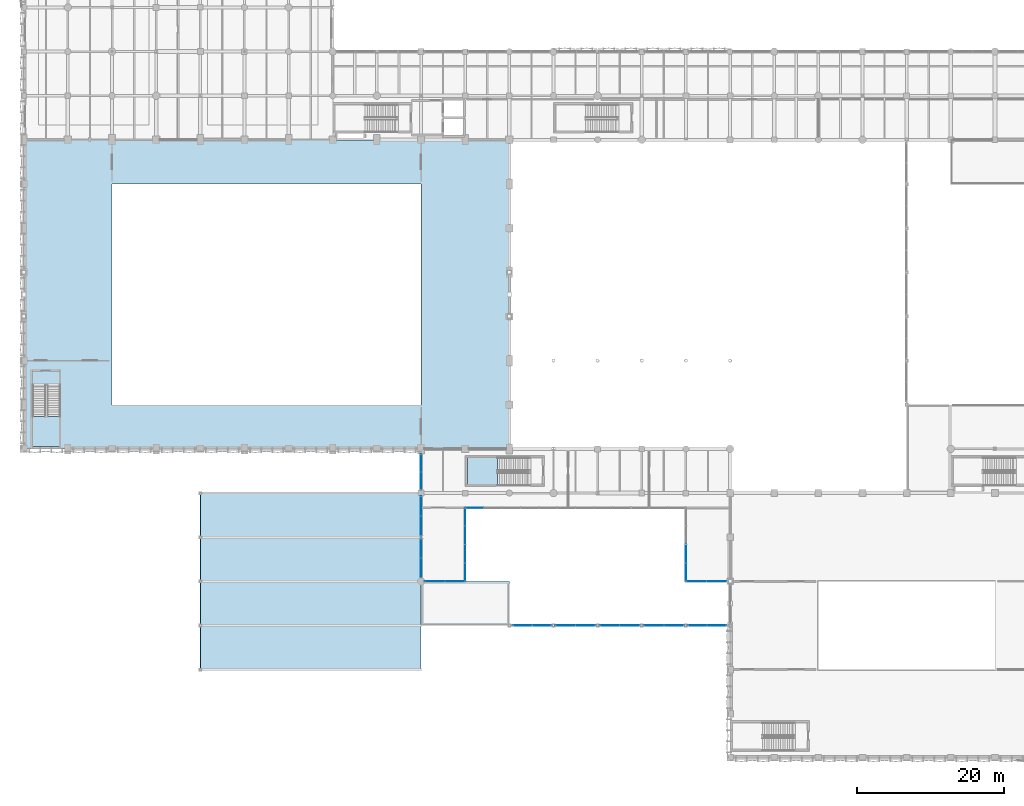
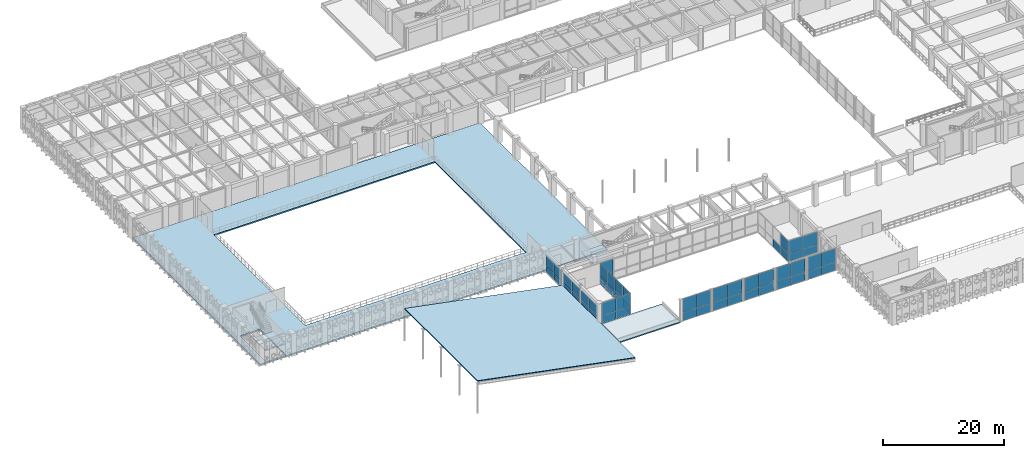
# One storey, part 88 of 133: 53 plates, 5 slabs, 15 elements without a shape of their own.
"""IFC4 building model written with IfcOpenShell, lengths in metres."""

from ifc_helpers import new_model, si_unit, direction, frame, frame_2d, origin, place, context, subcontext, project, spatial, polyline, rectangle, outline, extrude, material, layer, layer_set, type_object, element, aggregate, save


model = new_model("IFC4")

# Units and contexts
model_context = context("Model", 3, precision=1e-05, world=origin(), true_north=direction((0.0, 1.0)))
body_context = subcontext(model_context, "Body", "Model", "MODEL_VIEW")
ifc_project = project(units=[si_unit("LENGTHUNIT", "METRE"), si_unit("AREAUNIT", "SQUARE_METRE"), si_unit("VOLUMEUNIT", "CUBIC_METRE"), si_unit("PLANEANGLEUNIT", "RADIAN"), si_unit("MASSUNIT", "GRAM", prefix="KILO"), si_unit("THERMODYNAMICTEMPERATUREUNIT", "KELVIN"), si_unit("POWERUNIT", "WATT")], contexts=[model_context])

# Site, building, storey
site_placement = place(None, origin())
site = spatial("IfcSite", under=ifc_project, at=site_placement, CompositionType="ELEMENT")
building_placement = place(site_placement, origin())
building = spatial("IfcBuilding", under=site, at=building_placement, Name="Phaisarnlok Congress Hotel", CompositionType="ELEMENT")
storey_placement = place(building_placement, frame((0.0, 0.0, 6.0)))
storey = spatial("IfcBuildingStorey", under=building, at=storey_placement, Name="L01", CompositionType="ELEMENT", Elevation=6.0)

# Curtain wall, plates
ifc_material_1 = material(Name="Thermally Broken Unitised Aluminium & Low-E Glazing", Category="aluminium")
curtain_wall_type_1 = type_object("IfcCurtainWallType", Name="CW-UNIT-08", PredefinedType="NOTDEFINED", material=ifc_material_1)
curtain_wall_1_placement = place(storey_placement, origin())
curtain_wall_1 = element("IfcCurtainWall", 1, at=curtain_wall_1_placement, inside=storey, type_object=curtain_wall_type_1, Name="Unitised curtain wall CW-08 (L01)", PredefinedType="NOTDEFINED")
ifc_material_2 = material(Name="Triple Acoustic Solar-Control Glazing", Category="glass")
ifc_layer_1 = layer(ifc_material_2, 0.035888671875, Name="Triple Acoustic Solar-Control Glazing")
ifc_layer_set_1 = layer_set([ifc_layer_1], Name="Triple Acoustic Solar-Control Glazing")
plate_type = type_object("IfcPlateType", Name="CWP-GLZ-36", PredefinedType="CURTAIN_PANEL", material=ifc_layer_set_1)
plate_1_placement = place(storey_placement, frame((90.0, 28.985107421875, 0.0400390625), z_axis=(0.0, 0.0, 1.0), x_axis=(0.0, -1.0, 0.0)))
plate_1 = element("IfcPlate", 2, at=plate_1_placement, type_object=plate_type, Name="Glazed curtain panel CWP-02", PredefinedType="CURTAIN_PANEL", context=body_context, shape_type="SweptSolid", body=[
    extrude(rectangle(XDim=2.47021484375, YDim=0.028076171875, at=frame_2d((1.235107421875, 0.0))), origin(), (0.0, 0.0, 1.0), 1.5634765625),
])
plate_2_placement = place(storey_placement, frame((90.0, 26.485107421875, 0.0400390625), z_axis=(0.0, 0.0, 1.0), x_axis=(0.0, -1.0, 0.0)))
plate_2 = element("IfcPlate", 3, at=plate_2_placement, type_object=plate_type, Name="Glazed curtain panel CWP-02", PredefinedType="CURTAIN_PANEL", context=body_context, shape_type="SweptSolid", body=[
    extrude(rectangle(XDim=2.465087890625, YDim=0.028076171875, at=frame_2d((1.232421875, 0.0))), origin(), (0.0, 0.0, 1.0), 1.5634765625),
])
plate_3_placement = place(storey_placement, frame((90.0, 26.485107421875, 1.603515625), z_axis=(0.0, 0.0, 1.0), x_axis=(0.0, -1.0, 0.0)))
plate_3 = element("IfcPlate", 4, at=plate_3_placement, type_object=plate_type, Name="Glazed curtain panel CWP-02", PredefinedType="CURTAIN_PANEL", context=body_context, shape_type="SweptSolid", body=[
    extrude(rectangle(XDim=2.465087890625, YDim=0.028076171875, at=frame_2d((1.232421875, 0.0))), origin(), (0.0, 0.0, 1.0), 2.576416015625),
])
aggregate(curtain_wall_1, [plate_1, plate_2, plate_3])

curtain_wall_type_2 = type_object("IfcCurtainWallType", Name="CW-UNIT-09", PredefinedType="NOTDEFINED", material=ifc_material_1)
curtain_wall_2_placement = place(storey_placement, origin())
curtain_wall_2 = element("IfcCurtainWall", 5, at=curtain_wall_2_placement, inside=storey, type_object=curtain_wall_type_2, Name="Unitised curtain wall CW-09 (L01)", PredefinedType="NOTDEFINED")
plate_4_placement = place(storey_placement, frame((90.02001953125, 24.0, 0.0400390625), z_axis=(0.0, 0.0, 1.0), x_axis=(1.0, 0.0, 0.0)))
plate_4 = element("IfcPlate", 6, at=plate_4_placement, type_object=plate_type, Name="Glazed curtain panel CWP-02", PredefinedType="CURTAIN_PANEL", context=body_context, shape_type="SweptSolid", body=[
    extrude(rectangle(XDim=2.737548828125, YDim=0.028076171875, at=frame_2d((1.36865234375, 0.0))), origin(), (0.0, 0.0, 1.0), 1.5634765625),
])
plate_5_placement = place(storey_placement, frame((90.02001953125, 24.0, 1.603515625), z_axis=(0.0, 0.0, 1.0), x_axis=(1.0, 0.0, 0.0)))
plate_5 = element("IfcPlate", 7, at=plate_5_placement, type_object=plate_type, Name="Glazed curtain panel CWP-02", PredefinedType="CURTAIN_PANEL", context=body_context, shape_type="SweptSolid", body=[
    extrude(rectangle(XDim=2.737548828125, YDim=0.028076171875, at=frame_2d((1.36865234375, 0.0))), origin(), (0.0, 0.0, 1.0), 2.576416015625),
])
plate_6_placement = place(storey_placement, frame((92.78759765625, 24.0, 0.0400390625), z_axis=(0.0, 0.0, 1.0), x_axis=(1.0, 0.0, 0.0)))
plate_6 = element("IfcPlate", 8, at=plate_6_placement, type_object=plate_type, Name="Glazed curtain panel CWP-02", PredefinedType="CURTAIN_PANEL", context=body_context, shape_type="SweptSolid", body=[
    extrude(rectangle(XDim=2.7373046875, YDim=0.028076171875, at=frame_2d((1.36865234375, 0.0))), origin(), (0.0, 0.0, 1.0), 1.5634765625),
])
plate_7_placement = place(storey_placement, frame((92.78759765625, 24.0, 1.603515625), z_axis=(0.0, 0.0, 1.0), x_axis=(1.0, 0.0, 0.0)))
plate_7 = element("IfcPlate", 9, at=plate_7_placement, type_object=plate_type, Name="Glazed curtain panel CWP-02", PredefinedType="CURTAIN_PANEL", context=body_context, shape_type="SweptSolid", body=[
    extrude(rectangle(XDim=2.7373046875, YDim=0.028076171875, at=frame_2d((1.36865234375, 0.0))), origin(), (0.0, 0.0, 1.0), 2.576416015625),
])
aggregate(curtain_wall_2, [plate_4, plate_5, plate_6, plate_7])

curtain_wall_type_3 = type_object("IfcCurtainWallType", Name="CW-UNIT-19", PredefinedType="NOTDEFINED", material=ifc_material_1)
curtain_wall_3_placement = place(storey_placement, origin())
curtain_wall_3 = element("IfcCurtainWall", 10, at=curtain_wall_3_placement, inside=storey, type_object=curtain_wall_type_3, Name="Unitised curtain wall CW-19 (L01)", PredefinedType="NOTDEFINED")
plate_8_placement = place(storey_placement, frame((54.0, 41.27490234375, 0.0400390625), z_axis=(0.0, 0.0, 1.0), x_axis=(0.0, -1.0, 0.0)))
plate_8 = element("IfcPlate", 11, at=plate_8_placement, type_object=plate_type, Name="Glazed curtain panel CWP-02", PredefinedType="CURTAIN_PANEL", context=body_context, shape_type="SweptSolid", body=[
    extrude(rectangle(XDim=2.409912109375, YDim=0.028076171875, at=frame_2d((1.205078125, 0.0))), origin(), (0.0, 0.0, 1.0), 1.278564453125),
])
plate_9_placement = place(storey_placement, frame((54.0, 41.27490234375, 1.318603515625), z_axis=(0.0, 0.0, 1.0), x_axis=(0.0, -1.0, 0.0)))
plate_9 = element("IfcPlate", 12, at=plate_9_placement, type_object=plate_type, Name="Glazed curtain panel CWP-02", PredefinedType="CURTAIN_PANEL", context=body_context, shape_type="SweptSolid", body=[
    extrude(rectangle(XDim=2.409912109375, YDim=0.028076171875, at=frame_2d((1.205078125, 0.0))), origin(), (0.0, 0.0, 1.0), 2.111328125),
])
plate_10_placement = place(storey_placement, frame((54.0, 38.8349609375, 0.0400390625), z_axis=(0.0, 0.0, 1.0), x_axis=(0.0, -1.0, 0.0)))
plate_10 = element("IfcPlate", 13, at=plate_10_placement, type_object=plate_type, Name="Glazed curtain panel CWP-02", PredefinedType="CURTAIN_PANEL", context=body_context, shape_type="SweptSolid", body=[
    extrude(rectangle(XDim=2.409912109375, YDim=0.028076171875, at=frame_2d((1.205078125, 0.0))), origin(), (0.0, 0.0, 1.0), 1.278564453125),
])
plate_11_placement = place(storey_placement, frame((54.0, 38.8349609375, 1.318603515625), z_axis=(0.0, 0.0, 1.0), x_axis=(0.0, -1.0, 0.0)))
plate_11 = element("IfcPlate", 14, at=plate_11_placement, type_object=plate_type, Name="Glazed curtain panel CWP-02", PredefinedType="CURTAIN_PANEL", context=body_context, shape_type="SweptSolid", body=[
    extrude(rectangle(XDim=2.409912109375, YDim=0.028076171875, at=frame_2d((1.205078125, 0.0))), origin(), (0.0, 0.0, 1.0), 2.111328125),
])
aggregate(curtain_wall_3, [plate_8, plate_9, plate_10, plate_11])

curtain_wall_type_4 = type_object("IfcCurtainWallType", Name="CW-UNIT-14", PredefinedType="NOTDEFINED", material=ifc_material_1)
curtain_wall_4_placement = place(storey_placement, origin())
curtain_wall_4 = element("IfcCurtainWall", 15, at=curtain_wall_4_placement, inside=storey, type_object=curtain_wall_type_4, Name="Unitised curtain wall CW-14 (L01)", PredefinedType="NOTDEFINED")
plate_12_placement = place(storey_placement, frame((54.0, 35.574951171875, 0.0400390625), z_axis=(0.0, 0.0, 1.0), x_axis=(0.0, -1.0, 0.0)))
plate_12 = element("IfcPlate", 16, at=plate_12_placement, type_object=plate_type, Name="Glazed curtain panel CWP-02", PredefinedType="CURTAIN_PANEL", context=body_context, shape_type="SweptSolid", body=[
    extrude(rectangle(XDim=2.66015625, YDim=0.028076171875, at=frame_2d((1.330078125, 0.0))), origin(), (0.0, 0.0, 1.0), 1.278564453125),
])
plate_13_placement = place(storey_placement, frame((54.0, 35.574951171875, 1.318603515625), z_axis=(0.0, 0.0, 1.0), x_axis=(0.0, -1.0, 0.0)))
plate_13 = element("IfcPlate", 17, at=plate_13_placement, type_object=plate_type, Name="Glazed curtain panel CWP-02", PredefinedType="CURTAIN_PANEL", context=body_context, shape_type="SweptSolid", body=[
    extrude(rectangle(XDim=2.66015625, YDim=0.028076171875, at=frame_2d((1.330078125, 0.0))), origin(), (0.0, 0.0, 1.0), 2.111328125),
])
plate_14_placement = place(storey_placement, frame((54.0, 32.884765625, 0.0400390625), z_axis=(0.0, 0.0, 1.0), x_axis=(0.0, -1.0, 0.0)))
plate_14 = element("IfcPlate", 18, at=plate_14_placement, type_object=plate_type, Name="Glazed curtain panel CWP-02", PredefinedType="CURTAIN_PANEL", context=body_context, shape_type="SweptSolid", body=[
    extrude(rectangle(XDim=2.66015625, YDim=0.028076171875, at=frame_2d((1.330078125, 0.0))), origin(), (0.0, 0.0, 1.0), 1.278564453125),
])
plate_15_placement = place(storey_placement, frame((54.0, 32.884765625, 1.318603515625), z_axis=(0.0, 0.0, 1.0), x_axis=(0.0, -1.0, 0.0)))
plate_15 = element("IfcPlate", 19, at=plate_15_placement, type_object=plate_type, Name="Glazed curtain panel CWP-02", PredefinedType="CURTAIN_PANEL", context=body_context, shape_type="SweptSolid", body=[
    extrude(rectangle(XDim=2.66015625, YDim=0.028076171875, at=frame_2d((1.330078125, 0.0))), origin(), (0.0, 0.0, 1.0), 2.111328125),
])
aggregate(curtain_wall_4, [plate_12, plate_13, plate_14, plate_15])

curtain_wall_type_5 = type_object("IfcCurtainWallType", Name="CW-UNIT-20", PredefinedType="NOTDEFINED", material=ifc_material_1)
curtain_wall_5_placement = place(storey_placement, origin())
curtain_wall_5 = element("IfcCurtainWall", 20, at=curtain_wall_5_placement, inside=storey, type_object=curtain_wall_type_5, Name="Unitised curtain wall CW-20 (L01)", PredefinedType="NOTDEFINED")
plate_16_placement = place(storey_placement, frame((54.0, 29.775390625, 0.0400390625), z_axis=(0.0, 0.0, 1.0), x_axis=(0.0, -1.0, 0.0)))
plate_16 = element("IfcPlate", 21, at=plate_16_placement, type_object=plate_type, Name="Glazed curtain panel CWP-02", PredefinedType="CURTAIN_PANEL", context=body_context, shape_type="SweptSolid", body=[
    extrude(rectangle(XDim=2.610107421875, YDim=0.028076171875, at=frame_2d((1.30517578125, 0.0))), origin(), (0.0, 0.0, 1.0), 1.30712890625),
])
plate_17_placement = place(storey_placement, frame((54.0, 29.775390625, 1.34716796875), z_axis=(0.0, 0.0, 1.0), x_axis=(0.0, -1.0, 0.0)))
plate_17 = element("IfcPlate", 22, at=plate_17_placement, type_object=plate_type, Name="Glazed curtain panel CWP-02", PredefinedType="CURTAIN_PANEL", context=body_context, shape_type="SweptSolid", body=[
    extrude(rectangle(XDim=2.610107421875, YDim=0.028076171875, at=frame_2d((1.30517578125, 0.0))), origin(), (0.0, 0.0, 1.0), 2.15771484375),
])
plate_18_placement = place(storey_placement, frame((54.0, 27.13525390625, 0.0400390625), z_axis=(0.0, 0.0, 1.0), x_axis=(0.0, -1.0, 0.0)))
plate_18 = element("IfcPlate", 23, at=plate_18_placement, type_object=plate_type, Name="Glazed curtain panel CWP-02", PredefinedType="CURTAIN_PANEL", context=body_context, shape_type="SweptSolid", body=[
    extrude(rectangle(XDim=2.6103515625, YDim=0.028076171875, at=frame_2d((1.30517578125, 0.0))), origin(), (0.0, 0.0, 1.0), 1.30712890625),
])
plate_19_placement = place(storey_placement, frame((54.0, 27.13525390625, 1.34716796875), z_axis=(0.0, 0.0, 1.0), x_axis=(0.0, -1.0, 0.0)))
plate_19 = element("IfcPlate", 24, at=plate_19_placement, type_object=plate_type, Name="Glazed curtain panel CWP-02", PredefinedType="CURTAIN_PANEL", context=body_context, shape_type="SweptSolid", body=[
    extrude(rectangle(XDim=2.6103515625, YDim=0.028076171875, at=frame_2d((1.30517578125, 0.0))), origin(), (0.0, 0.0, 1.0), 2.15771484375),
])
aggregate(curtain_wall_5, [plate_16, plate_17, plate_18, plate_19])

curtain_wall_type_6 = type_object("IfcCurtainWallType", Name="CW-UNIT-21", PredefinedType="NOTDEFINED", material=ifc_material_1)
curtain_wall_6_placement = place(storey_placement, origin())
curtain_wall_6 = element("IfcCurtainWall", 25, at=curtain_wall_6_placement, inside=storey, type_object=curtain_wall_type_6, Name="Unitised curtain wall CW-21 (L01)", PredefinedType="NOTDEFINED")
plate_20_placement = place(storey_placement, frame((54.52490234375, 24.0, 0.0400390625), z_axis=(0.0, 0.0, 1.0), x_axis=(1.0, 0.0, 0.0)))
plate_20 = element("IfcPlate", 26, at=plate_20_placement, type_object=plate_type, Name="Glazed curtain panel CWP-02", PredefinedType="CURTAIN_PANEL", context=body_context, shape_type="SweptSolid", body=[
    extrude(rectangle(XDim=2.712646484375, YDim=0.028076171875, at=frame_2d((1.3564453125, 0.0))), origin(), (0.0, 0.0, 1.0), 1.5634765625),
])
plate_21_placement = place(storey_placement, frame((54.52490234375, 24.0, 1.603515625), z_axis=(0.0, 0.0, 1.0), x_axis=(1.0, 0.0, 0.0)))
plate_21 = element("IfcPlate", 27, at=plate_21_placement, type_object=plate_type, Name="Glazed curtain panel CWP-02", PredefinedType="CURTAIN_PANEL", context=body_context, shape_type="SweptSolid", body=[
    extrude(rectangle(XDim=2.712646484375, YDim=0.028076171875, at=frame_2d((1.3564453125, 0.0))), origin(), (0.0, 0.0, 1.0), 2.576416015625),
])
plate_22_placement = place(storey_placement, frame((57.267578125, 24.0, 0.0400390625), z_axis=(0.0, 0.0, 1.0), x_axis=(1.0, 0.0, 0.0)))
plate_22 = element("IfcPlate", 28, at=plate_22_placement, type_object=plate_type, Name="Glazed curtain panel CWP-02", PredefinedType="CURTAIN_PANEL", context=body_context, shape_type="SweptSolid", body=[
    extrude(rectangle(XDim=2.71240234375, YDim=0.028076171875, at=frame_2d((1.356201171875, 0.0))), origin(), (0.0, 0.0, 1.0), 1.5634765625),
])
plate_23_placement = place(storey_placement, frame((57.267578125, 24.0, 1.603515625), z_axis=(0.0, 0.0, 1.0), x_axis=(1.0, 0.0, 0.0)))
plate_23 = element("IfcPlate", 29, at=plate_23_placement, type_object=plate_type, Name="Glazed curtain panel CWP-02", PredefinedType="CURTAIN_PANEL", context=body_context, shape_type="SweptSolid", body=[
    extrude(rectangle(XDim=2.71240234375, YDim=0.028076171875, at=frame_2d((1.356201171875, 0.0))), origin(), (0.0, 0.0, 1.0), 2.576416015625),
])
aggregate(curtain_wall_6, [plate_20, plate_21, plate_22, plate_23])

curtain_wall_7_placement = place(storey_placement, origin())
curtain_wall_7 = element("IfcCurtainWall", 30, at=curtain_wall_7_placement, inside=storey, type_object=curtain_wall_type_1, Name="Unitised curtain wall CW-08 (L01)", PredefinedType="NOTDEFINED")
plate_24_placement = place(storey_placement, frame((60.0, 24.02001953125, 0.0400390625), z_axis=(0.0, 0.0, 1.0), x_axis=(0.0, 1.0, 0.0)))
plate_24 = element("IfcPlate", 31, at=plate_24_placement, type_object=plate_type, Name="Glazed curtain panel CWP-02", PredefinedType="CURTAIN_PANEL", context=body_context, shape_type="SweptSolid", body=[
    extrude(rectangle(XDim=2.465087890625, YDim=0.028076171875, at=frame_2d((1.232421875, 0.0))), origin(), (0.0, 0.0, 1.0), 1.5634765625),
])
plate_25_placement = place(storey_placement, frame((60.0, 24.02001953125, 1.603515625), z_axis=(0.0, 0.0, 1.0), x_axis=(0.0, 1.0, 0.0)))
plate_25 = element("IfcPlate", 32, at=plate_25_placement, type_object=plate_type, Name="Glazed curtain panel CWP-02", PredefinedType="CURTAIN_PANEL", context=body_context, shape_type="SweptSolid", body=[
    extrude(rectangle(XDim=2.465087890625, YDim=0.028076171875, at=frame_2d((1.232421875, 0.0))), origin(), (0.0, 0.0, 1.0), 2.576416015625),
])
plate_26_placement = place(storey_placement, frame((60.0, 26.514892578125, 0.0400390625), z_axis=(0.0, 0.0, 1.0), x_axis=(0.0, 1.0, 0.0)))
plate_26 = element("IfcPlate", 33, at=plate_26_placement, type_object=plate_type, Name="Glazed curtain panel CWP-02", PredefinedType="CURTAIN_PANEL", context=body_context, shape_type="SweptSolid", body=[
    extrude(rectangle(XDim=2.47021484375, YDim=0.028076171875, at=frame_2d((1.235107421875, 0.0))), origin(), (0.0, 0.0, 1.0), 1.5634765625),
])
plate_27_placement = place(storey_placement, frame((60.0, 26.514892578125, 1.603515625), z_axis=(0.0, 0.0, 1.0), x_axis=(0.0, 1.0, 0.0)))
plate_27 = element("IfcPlate", 34, at=plate_27_placement, type_object=plate_type, Name="Glazed curtain panel CWP-02", PredefinedType="CURTAIN_PANEL", context=body_context, shape_type="SweptSolid", body=[
    extrude(rectangle(XDim=2.47021484375, YDim=0.028076171875, at=frame_2d((1.235107421875, 0.0))), origin(), (0.0, 0.0, 1.0), 2.576416015625),
])
plate_28_placement = place(storey_placement, frame((60.0, 29.014892578125, 0.0400390625), z_axis=(0.0, 0.0, 1.0), x_axis=(0.0, 1.0, 0.0)))
plate_28 = element("IfcPlate", 35, at=plate_28_placement, type_object=plate_type, Name="Glazed curtain panel CWP-02", PredefinedType="CURTAIN_PANEL", context=body_context, shape_type="SweptSolid", body=[
    extrude(rectangle(XDim=2.47021484375, YDim=0.028076171875, at=frame_2d((1.235107421875, 0.0))), origin(), (0.0, 0.0, 1.0), 1.5634765625),
])
plate_29_placement = place(storey_placement, frame((60.0, 29.014892578125, 1.603515625), z_axis=(0.0, 0.0, 1.0), x_axis=(0.0, 1.0, 0.0)))
plate_29 = element("IfcPlate", 36, at=plate_29_placement, type_object=plate_type, Name="Glazed curtain panel CWP-02", PredefinedType="CURTAIN_PANEL", context=body_context, shape_type="SweptSolid", body=[
    extrude(rectangle(XDim=2.47021484375, YDim=0.028076171875, at=frame_2d((1.235107421875, 0.0))), origin(), (0.0, 0.0, 1.0), 2.576416015625),
])
plate_30_placement = place(storey_placement, frame((60.0, 31.514892578125, 0.0400390625), z_axis=(0.0, 0.0, 1.0), x_axis=(0.0, 1.0, 0.0)))
plate_30 = element("IfcPlate", 37, at=plate_30_placement, type_object=plate_type, Name="Glazed curtain panel CWP-02", PredefinedType="CURTAIN_PANEL", context=body_context, shape_type="SweptSolid", body=[
    extrude(rectangle(XDim=2.465087890625, YDim=0.028076171875, at=frame_2d((1.232421875, 0.0))), origin(), (0.0, 0.0, 1.0), 1.5634765625),
])
plate_31_placement = place(storey_placement, frame((60.0, 31.514892578125, 1.603515625), z_axis=(0.0, 0.0, 1.0), x_axis=(0.0, 1.0, 0.0)))
plate_31 = element("IfcPlate", 38, at=plate_31_placement, type_object=plate_type, Name="Glazed curtain panel CWP-02", PredefinedType="CURTAIN_PANEL", context=body_context, shape_type="SweptSolid", body=[
    extrude(rectangle(XDim=2.465087890625, YDim=0.028076171875, at=frame_2d((1.232421875, 0.0))), origin(), (0.0, 0.0, 1.0), 2.576416015625),
])
aggregate(curtain_wall_7, [plate_24, plate_25, plate_26, plate_27, plate_28, plate_29, plate_30, plate_31])

curtain_wall_type_7 = type_object("IfcCurtainWallType", Name="CW-UNIT-22", PredefinedType="NOTDEFINED", material=ifc_material_1)
curtain_wall_8_placement = place(storey_placement, origin())
curtain_wall_8 = element("IfcCurtainWall", 39, at=curtain_wall_8_placement, inside=storey, type_object=curtain_wall_type_7, Name="Unitised curtain wall CW-22 (L01)", PredefinedType="NOTDEFINED")
plate_32_placement = place(storey_placement, frame((60.02001953125, 34.0, 0.0400390625), z_axis=(0.0, 0.0, 1.0), x_axis=(1.0, 0.0, 0.0)))
plate_32 = element("IfcPlate", 40, at=plate_32_placement, type_object=plate_type, Name="Glazed curtain panel CWP-02", PredefinedType="CURTAIN_PANEL", context=body_context, shape_type="SweptSolid", body=[
    extrude(rectangle(XDim=2.465087890625, YDim=0.028076171875, at=frame_2d((1.232421875, 0.0))), origin(), (0.0, 0.0, 1.0), 1.5634765625),
])
plate_33_placement = place(storey_placement, frame((60.02001953125, 34.0, 1.603515625), z_axis=(0.0, 0.0, 1.0), x_axis=(1.0, 0.0, 0.0)))
plate_33 = element("IfcPlate", 41, at=plate_33_placement, type_object=plate_type, Name="Glazed curtain panel CWP-02", PredefinedType="CURTAIN_PANEL", context=body_context, shape_type="SweptSolid", body=[
    extrude(rectangle(XDim=2.465087890625, YDim=0.028076171875, at=frame_2d((1.232421875, 0.0))), origin(), (0.0, 0.0, 1.0), 2.576416015625),
])
aggregate(curtain_wall_8, [plate_32, plate_33])

curtain_wall_type_8 = type_object("IfcCurtainWallType", Name="CW-UNIT-40", PredefinedType="NOTDEFINED", material=ifc_material_1)
curtain_wall_9_placement = place(storey_placement, origin())
curtain_wall_9 = element("IfcCurtainWall", 42, at=curtain_wall_9_placement, inside=storey, type_object=curtain_wall_type_8, Name="Unitised curtain wall CW-40 (L01)", PredefinedType="NOTDEFINED")
plate_34_placement = place(storey_placement, frame((66.47998046875, 18.0, 0.02001953125), z_axis=(0.0, 0.0, 1.0), x_axis=(1.0, 0.0, 0.0)))
plate_34 = element("IfcPlate", 43, at=plate_34_placement, type_object=plate_type, Name="Glazed curtain panel CWP-02", PredefinedType="CURTAIN_PANEL", context=body_context, shape_type="SweptSolid", body=[
    extrude(rectangle(XDim=2.614990234375, YDim=0.028076171875, at=frame_2d((1.3076171875, 0.0))), origin(), (0.0, 0.0, 1.0), 1.681396484375),
])
plate_35_placement = place(storey_placement, frame((66.47998046875, 18.0, 1.701416015625), z_axis=(0.0, 0.0, 1.0), x_axis=(1.0, 0.0, 0.0)))
plate_35 = element("IfcPlate", 44, at=plate_35_placement, type_object=plate_type, Name="Glazed curtain panel CWP-02", PredefinedType="CURTAIN_PANEL", context=body_context, shape_type="SweptSolid", body=[
    extrude(rectangle(XDim=2.614990234375, YDim=0.028076171875, at=frame_2d((1.3076171875, 0.0))), origin(), (0.0, 0.0, 1.0), 2.7685546875),
])
plate_36_placement = place(storey_placement, frame((69.125, 18.0, 0.02001953125), z_axis=(0.0, 0.0, 1.0), x_axis=(1.0, 0.0, 0.0)))
plate_36 = element("IfcPlate", 45, at=plate_36_placement, type_object=plate_type, Name="Glazed curtain panel CWP-02", PredefinedType="CURTAIN_PANEL", context=body_context, shape_type="SweptSolid", body=[
    extrude(rectangle(XDim=2.614990234375, YDim=0.028076171875, at=frame_2d((1.3076171875, 0.0))), origin(), (0.0, 0.0, 1.0), 1.681396484375),
])
plate_37_placement = place(storey_placement, frame((69.125, 18.0, 1.701416015625), z_axis=(0.0, 0.0, 1.0), x_axis=(1.0, 0.0, 0.0)))
plate_37 = element("IfcPlate", 46, at=plate_37_placement, type_object=plate_type, Name="Glazed curtain panel CWP-02", PredefinedType="CURTAIN_PANEL", context=body_context, shape_type="SweptSolid", body=[
    extrude(rectangle(XDim=2.614990234375, YDim=0.028076171875, at=frame_2d((1.3076171875, 0.0))), origin(), (0.0, 0.0, 1.0), 2.7685546875),
])
aggregate(curtain_wall_9, [plate_34, plate_35, plate_36, plate_37])

curtain_wall_type_9 = type_object("IfcCurtainWallType", Name="CW-UNIT-43", PredefinedType="NOTDEFINED", material=ifc_material_1)
curtain_wall_10_placement = place(storey_placement, origin())
curtain_wall_10 = element("IfcCurtainWall", 47, at=curtain_wall_10_placement, inside=storey, type_object=curtain_wall_type_9, Name="Unitised curtain wall CW-43 (L01)", PredefinedType="NOTDEFINED")
plate_38_placement = place(storey_placement, frame((72.260009765625, 18.0, 0.02001953125), z_axis=(0.0, 0.0, 1.0), x_axis=(1.0, 0.0, 0.0)))
plate_38 = element("IfcPlate", 48, at=plate_38_placement, type_object=plate_type, Name="Glazed curtain panel CWP-02", PredefinedType="CURTAIN_PANEL", context=body_context, shape_type="SweptSolid", body=[
    extrude(rectangle(XDim=2.72509765625, YDim=0.028076171875, at=frame_2d((1.362548828125, 0.0))), origin(), (0.0, 0.0, 1.0), 1.681396484375),
])
plate_39_placement = place(storey_placement, frame((72.260009765625, 18.0, 1.701416015625), z_axis=(0.0, 0.0, 1.0), x_axis=(1.0, 0.0, 0.0)))
plate_39 = element("IfcPlate", 49, at=plate_39_placement, type_object=plate_type, Name="Glazed curtain panel CWP-02", PredefinedType="CURTAIN_PANEL", context=body_context, shape_type="SweptSolid", body=[
    extrude(rectangle(XDim=2.72509765625, YDim=0.028076171875, at=frame_2d((1.362548828125, 0.0))), origin(), (0.0, 0.0, 1.0), 2.7685546875),
])
plate_40_placement = place(storey_placement, frame((75.014892578125, 18.0, 0.02001953125), z_axis=(0.0, 0.0, 1.0), x_axis=(1.0, 0.0, 0.0)))
plate_40 = element("IfcPlate", 50, at=plate_40_placement, type_object=plate_type, Name="Glazed curtain panel CWP-02", PredefinedType="CURTAIN_PANEL", context=body_context, shape_type="SweptSolid", body=[
    extrude(rectangle(XDim=2.72509765625, YDim=0.028076171875, at=frame_2d((1.362548828125, 0.0))), origin(), (0.0, 0.0, 1.0), 1.681396484375),
])
plate_41_placement = place(storey_placement, frame((75.014892578125, 18.0, 1.701416015625), z_axis=(0.0, 0.0, 1.0), x_axis=(1.0, 0.0, 0.0)))
plate_41 = element("IfcPlate", 51, at=plate_41_placement, type_object=plate_type, Name="Glazed curtain panel CWP-02", PredefinedType="CURTAIN_PANEL", context=body_context, shape_type="SweptSolid", body=[
    extrude(rectangle(XDim=2.72509765625, YDim=0.028076171875, at=frame_2d((1.362548828125, 0.0))), origin(), (0.0, 0.0, 1.0), 2.7685546875),
])
aggregate(curtain_wall_10, [plate_38, plate_39, plate_40, plate_41])

curtain_wall_11_placement = place(storey_placement, origin())
curtain_wall_11 = element("IfcCurtainWall", 52, at=curtain_wall_11_placement, inside=storey, type_object=curtain_wall_type_9, Name="Unitised curtain wall CW-43 (L01)", PredefinedType="NOTDEFINED")
plate_42_placement = place(storey_placement, frame((78.260009765625, 18.0, 0.02001953125), z_axis=(0.0, 0.0, 1.0), x_axis=(1.0, 0.0, 0.0)))
plate_42 = element("IfcPlate", 53, at=plate_42_placement, type_object=plate_type, Name="Glazed curtain panel CWP-02", PredefinedType="CURTAIN_PANEL", context=body_context, shape_type="SweptSolid", body=[
    extrude(rectangle(XDim=2.72509765625, YDim=0.028076171875, at=frame_2d((1.362548828125, 0.0))), origin(), (0.0, 0.0, 1.0), 1.681396484375),
])
plate_43_placement = place(storey_placement, frame((78.260009765625, 18.0, 1.701416015625), z_axis=(0.0, 0.0, 1.0), x_axis=(1.0, 0.0, 0.0)))
plate_43 = element("IfcPlate", 54, at=plate_43_placement, type_object=plate_type, Name="Glazed curtain panel CWP-02", PredefinedType="CURTAIN_PANEL", context=body_context, shape_type="SweptSolid", body=[
    extrude(rectangle(XDim=2.72509765625, YDim=0.028076171875, at=frame_2d((1.362548828125, 0.0))), origin(), (0.0, 0.0, 1.0), 2.7685546875),
])
plate_44_placement = place(storey_placement, frame((81.014892578125, 18.0, 0.02001953125), z_axis=(0.0, 0.0, 1.0), x_axis=(1.0, 0.0, 0.0)))
plate_44 = element("IfcPlate", 55, at=plate_44_placement, type_object=plate_type, Name="Glazed curtain panel CWP-02", PredefinedType="CURTAIN_PANEL", context=body_context, shape_type="SweptSolid", body=[
    extrude(rectangle(XDim=2.72509765625, YDim=0.028076171875, at=frame_2d((1.362548828125, 0.0))), origin(), (0.0, 0.0, 1.0), 1.681396484375),
])
plate_45_placement = place(storey_placement, frame((81.014892578125, 18.0, 1.701416015625), z_axis=(0.0, 0.0, 1.0), x_axis=(1.0, 0.0, 0.0)))
plate_45 = element("IfcPlate", 56, at=plate_45_placement, type_object=plate_type, Name="Glazed curtain panel CWP-02", PredefinedType="CURTAIN_PANEL", context=body_context, shape_type="SweptSolid", body=[
    extrude(rectangle(XDim=2.72509765625, YDim=0.028076171875, at=frame_2d((1.362548828125, 0.0))), origin(), (0.0, 0.0, 1.0), 2.7685546875),
])
aggregate(curtain_wall_11, [plate_42, plate_43, plate_44, plate_45])

curtain_wall_12_placement = place(storey_placement, origin())
curtain_wall_12 = element("IfcCurtainWall", 57, at=curtain_wall_12_placement, inside=storey, type_object=curtain_wall_type_9, Name="Unitised curtain wall CW-43 (L01)", PredefinedType="NOTDEFINED")
plate_46_placement = place(storey_placement, frame((84.260009765625, 18.0, 0.02001953125), z_axis=(0.0, 0.0, 1.0), x_axis=(1.0, 0.0, 0.0)))
plate_46 = element("IfcPlate", 58, at=plate_46_placement, type_object=plate_type, Name="Glazed curtain panel CWP-02", PredefinedType="CURTAIN_PANEL", context=body_context, shape_type="SweptSolid", body=[
    extrude(rectangle(XDim=2.72509765625, YDim=0.028076171875, at=frame_2d((1.362548828125, 0.0))), origin(), (0.0, 0.0, 1.0), 1.681396484375),
])
plate_47_placement = place(storey_placement, frame((84.260009765625, 18.0, 1.701416015625), z_axis=(0.0, 0.0, 1.0), x_axis=(1.0, 0.0, 0.0)))
plate_47 = element("IfcPlate", 59, at=plate_47_placement, type_object=plate_type, Name="Glazed curtain panel CWP-02", PredefinedType="CURTAIN_PANEL", context=body_context, shape_type="SweptSolid", body=[
    extrude(rectangle(XDim=2.72509765625, YDim=0.028076171875, at=frame_2d((1.362548828125, 0.0))), origin(), (0.0, 0.0, 1.0), 2.7685546875),
])
plate_48_placement = place(storey_placement, frame((87.014892578125, 18.0, 0.02001953125), z_axis=(0.0, 0.0, 1.0), x_axis=(1.0, 0.0, 0.0)))
plate_48 = element("IfcPlate", 60, at=plate_48_placement, type_object=plate_type, Name="Glazed curtain panel CWP-02", PredefinedType="CURTAIN_PANEL", context=body_context, shape_type="SweptSolid", body=[
    extrude(rectangle(XDim=2.72509765625, YDim=0.028076171875, at=frame_2d((1.362548828125, 0.0))), origin(), (0.0, 0.0, 1.0), 1.681396484375),
])
plate_49_placement = place(storey_placement, frame((87.014892578125, 18.0, 1.701416015625), z_axis=(0.0, 0.0, 1.0), x_axis=(1.0, 0.0, 0.0)))
plate_49 = element("IfcPlate", 61, at=plate_49_placement, type_object=plate_type, Name="Glazed curtain panel CWP-02", PredefinedType="CURTAIN_PANEL", context=body_context, shape_type="SweptSolid", body=[
    extrude(rectangle(XDim=2.72509765625, YDim=0.028076171875, at=frame_2d((1.362548828125, 0.0))), origin(), (0.0, 0.0, 1.0), 2.7685546875),
])
aggregate(curtain_wall_12, [plate_46, plate_47, plate_48, plate_49])

curtain_wall_13_placement = place(storey_placement, origin())
curtain_wall_13 = element("IfcCurtainWall", 62, at=curtain_wall_13_placement, inside=storey, type_object=curtain_wall_type_8, Name="Unitised curtain wall CW-40 (L01)", PredefinedType="NOTDEFINED")
plate_50_placement = place(storey_placement, frame((90.260009765625, 18.0, 0.02001953125), z_axis=(0.0, 0.0, 1.0), x_axis=(1.0, 0.0, 0.0)))
plate_50 = element("IfcPlate", 63, at=plate_50_placement, type_object=plate_type, Name="Glazed curtain panel CWP-02", PredefinedType="CURTAIN_PANEL", context=body_context, shape_type="SweptSolid", body=[
    extrude(rectangle(XDim=2.60498046875, YDim=0.028076171875, at=frame_2d((1.302490234375, 0.0))), origin(), (0.0, 0.0, 1.0), 1.681396484375),
])
plate_51_placement = place(storey_placement, frame((90.260009765625, 18.0, 1.701416015625), z_axis=(0.0, 0.0, 1.0), x_axis=(1.0, 0.0, 0.0)))
plate_51 = element("IfcPlate", 64, at=plate_51_placement, type_object=plate_type, Name="Glazed curtain panel CWP-02", PredefinedType="CURTAIN_PANEL", context=body_context, shape_type="SweptSolid", body=[
    extrude(rectangle(XDim=2.60498046875, YDim=0.028076171875, at=frame_2d((1.302490234375, 0.0))), origin(), (0.0, 0.0, 1.0), 2.7685546875),
])
plate_52_placement = place(storey_placement, frame((92.89501953125, 18.0, 0.02001953125), z_axis=(0.0, 0.0, 1.0), x_axis=(1.0, 0.0, 0.0)))
plate_52 = element("IfcPlate", 65, at=plate_52_placement, type_object=plate_type, Name="Glazed curtain panel CWP-02", PredefinedType="CURTAIN_PANEL", context=body_context, shape_type="SweptSolid", body=[
    extrude(rectangle(XDim=2.60498046875, YDim=0.028076171875, at=frame_2d((1.302490234375, 0.0))), origin(), (0.0, 0.0, 1.0), 1.681396484375),
])
plate_53_placement = place(storey_placement, frame((92.89501953125, 18.0, 1.701416015625), z_axis=(0.0, 0.0, 1.0), x_axis=(1.0, 0.0, 0.0)))
plate_53 = element("IfcPlate", 66, at=plate_53_placement, type_object=plate_type, Name="Glazed curtain panel CWP-02", PredefinedType="CURTAIN_PANEL", context=body_context, shape_type="SweptSolid", body=[
    extrude(rectangle(XDim=2.60498046875, YDim=0.028076171875, at=frame_2d((1.302490234375, 0.0))), origin(), (0.0, 0.0, 1.0), 2.7685546875),
])
aggregate(curtain_wall_13, [plate_50, plate_51, plate_52, plate_53])

# Slab
ifc_material_3 = material(Name="Concrete C40/50", Category="concrete")
ifc_layer_2 = layer(ifc_material_3, 0.260009765625, Name="Concrete C40/50")
ifc_layer_set_2 = layer_set([ifc_layer_2], Name="Concrete C40/50")
slab_type_1 = type_object("IfcSlabType", Name="SLB-INT-260", PredefinedType="FLOOR", material=ifc_layer_set_2)
slab_1_placement = place(storey_placement, frame((0.0, 0.0, -0.260009765625)))
element("IfcSlab", 67, at=slab_1_placement, inside=storey, type_object=slab_type_1, Name="Floor slab SL-INT-260 (L01 v1)", PredefinedType="FLOOR", context=body_context, shape_type="SweptSolid", body=[
    extrude(outline(polyline([(66.0, 42.0), (66.0, 84.0), (0.0, 84.0), (0.0, 42.0), (66.0, 42.0)]), holes=[polyline([(12.0, 48.0), (54.0, 48.0), (54.0, 78.0), (12.0, 78.0), (12.0, 48.0)]), polyline([(1.199951171875, 50.719970703125), (1.199951171875, 42.300048828125), (5.0, 42.300048828125), (5.0, 50.719970703125), (1.199951171875, 50.719970703125)])]), origin(), (0.0, 0.0, 1.0), 0.260009765625),
])

# Stair, slab
stair_type = type_object("IfcStairType", Name="STR-DOG-03", PredefinedType="HALF_TURN_STAIR", material=ifc_material_3)
stair_1_placement = place(storey_placement, origin())
stair_1 = element("IfcStair", 68, at=stair_1_placement, inside=storey, type_object=stair_type, Name="L01 ST-03", PredefinedType="HALF_TURN_STAIR")
ifc_layer_3 = layer(ifc_material_3, 0.199951171875, Name="Concrete C40/50")
ifc_layer_set_3 = layer_set([ifc_layer_3], Name="Concrete C40/50")
slab_type_2 = type_object("IfcSlabType", Name="SLB-LND-200", PredefinedType="LANDING", material=ifc_layer_set_3)
slab_2_placement = place(storey_placement, frame((0.0, 0.0, 2.050048828125)))
slab_2 = element("IfcSlab", 69, at=slab_2_placement, type_object=slab_type_2, Name="ST-03 landing 1", PredefinedType="LANDING", context=body_context, shape_type="SweptSolid", body=[
    extrude(outline(polyline([(1.199951171875, 46.3798828125), (1.199951171875, 42.300048828125), (5.0, 42.300048828125), (5.0, 46.3798828125), (1.199951171875, 46.3798828125)])), origin(), (0.0, 0.0, 1.0), 0.199951171875),
])
aggregate(stair_1, [slab_2])

stair_2_placement = place(storey_placement, origin())
stair_2 = element("IfcStair", 70, at=stair_2_placement, inside=storey, type_object=stair_type, Name="L01 ST-12", PredefinedType="HALF_TURN_STAIR")
slab_3_placement = place(storey_placement, frame((0.0, 0.0, 2.050048828125)))
slab_3 = element("IfcSlab", 71, at=slab_3_placement, type_object=slab_type_2, Name="ST-12 landing 1", PredefinedType="LANDING", context=body_context, shape_type="SweptSolid", body=[
    extrude(outline(polyline([(64.3798828125, 40.800048828125), (60.300048828125, 40.800048828125), (60.300048828125, 37.0), (64.3798828125, 37.0), (64.3798828125, 40.800048828125)])), origin(), (0.0, 0.0, 1.0), 0.199951171875),
])
aggregate(stair_2, [slab_3])

# Slabs
ifc_layer_4 = layer(ifc_material_3, 0.159912109375, Name="Concrete C40/50")
ifc_layer_set_4 = layer_set([ifc_layer_4], Name="Concrete C40/50")
slab_type_3 = type_object("IfcSlabType", Name="SLB-ROOF-160", PredefinedType="ROOF", material=ifc_layer_set_4)
slab_4_placement = place(storey_placement, frame((54.0, 36.0, 0.659912109375), z_axis=(0.190813210709, 0.0, 0.981626364061), x_axis=(0.0, -1.0, 0.0)))
element("IfcSlab", 72, at=slab_4_placement, inside=storey, type_object=slab_type_3, Name="Sunken MRT arrival canopy sloped roof slab", PredefinedType="ROOF", context=body_context, shape_type="SweptSolid", body=[
    extrude(outline(polyline([(0.0, 0.0), (24.0, 0.0), (24.0, -30.561526359074048), (0.0, -30.561526359074048), (0.0, 0.0)])), origin(), (0.0, 0.0, -1.0), 0.159912109375),
])
ifc_layer_5 = layer(ifc_material_3, 0.239990234375, Name="Concrete C40/50")
ifc_layer_set_5 = layer_set([ifc_layer_5], Name="Concrete C40/50")
slab_type_4 = type_object("IfcSlabType", Name="SLB-ROOF-240", PredefinedType="ROOF", material=ifc_layer_set_5)
slab_5_placement = place(storey_placement, frame((0.0, 0.0, -0.239990234375)))
element("IfcSlab", 73, at=slab_5_placement, inside=storey, type_object=slab_type_4, Name="Podium setback roof slab SL-ROOF-240 (L01 pod_foyer_sw)", PredefinedType="ROOF", context=body_context, shape_type="SweptSolid", body=[
    extrude(outline(polyline([(54.0, 18.0), (66.0, 18.0), (66.0, 24.0), (54.0, 24.0), (54.0, 18.0)])), origin(), (0.0, 0.0, 1.0), 0.239990234375),
])

save(model, "model.ifc")
